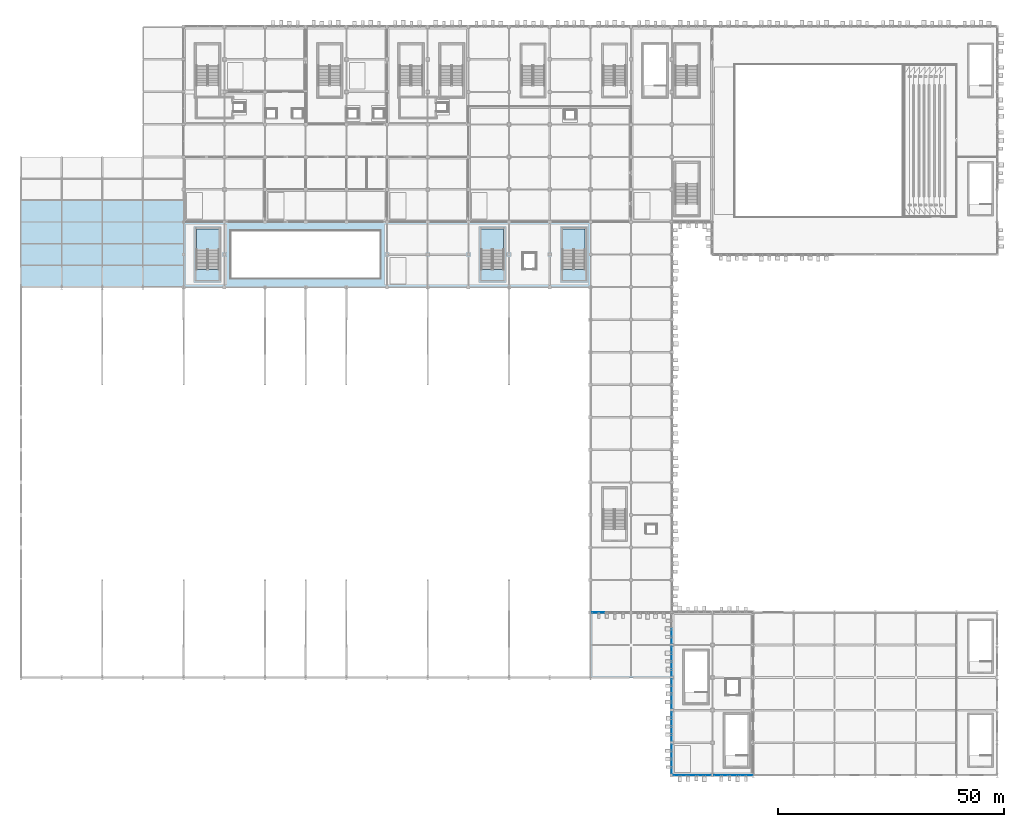
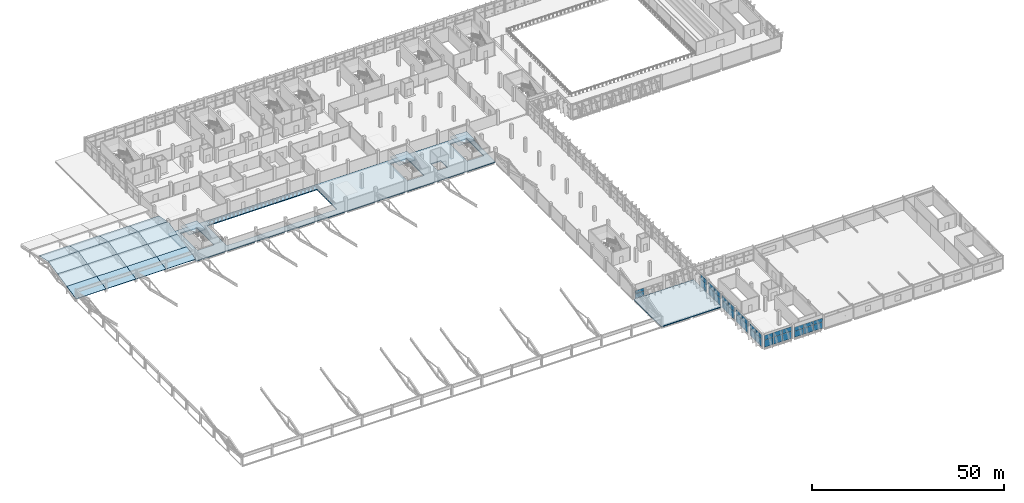
# One storey, part 88 of 151: 32 plates, 21 slabs, 11 elements without a shape of their own.
"""IFC4 building model written with IfcOpenShell, lengths in metres."""

from ifc_helpers import new_model, si_unit, direction, frame, origin, origin_2d, place, context, subcontext, project, spatial, polyline, rectangle, outline, extrude, material, layer, layer_set, type_object, element, aggregate, save


model = new_model("IFC4")

# Units and contexts
model_context = context("Model", 3, precision=1e-05, world=origin(), true_north=direction((0.0, 1.0)))
body_context = subcontext(model_context, "Body", "Model", "MODEL_VIEW")
ifc_project = project(units=[si_unit("LENGTHUNIT", "METRE"), si_unit("AREAUNIT", "SQUARE_METRE"), si_unit("VOLUMEUNIT", "CUBIC_METRE"), si_unit("PLANEANGLEUNIT", "RADIAN"), si_unit("MASSUNIT", "GRAM", prefix="KILO")], contexts=[model_context])

# Site, building, storey
site_placement = place(None, origin())
site = spatial("IfcSite", under=ifc_project, at=site_placement, CompositionType="ELEMENT")
building_placement = place(site_placement, origin())
building = spatial("IfcBuilding", under=site, at=building_placement, Name="Celestram Park Convention Centre", CompositionType="ELEMENT")
storey_placement = place(building_placement, frame((0.0, 0.0, 10.800048828125)))
storey = spatial("IfcBuildingStorey", under=building, at=storey_placement, Name="L02", CompositionType="ELEMENT", Elevation=10.800048828125)

# Curtain wall, plates
ifc_material_1 = material(Name="Anodised Aluminium Alloy 6063-T6", Category="aluminium")
ifc_layer_1 = layer(ifc_material_1, 0.179931640625)
ifc_layer_set_1 = layer_set([ifc_layer_1], Name="Anodised Aluminium Alloy 6063-T6")
curtain_wall_type_1 = type_object("IfcCurtainWallType", Name="ARC-CW-650X390", PredefinedType="NOTDEFINED", material=ifc_layer_set_1)
curtain_wall_1_placement = place(storey_placement, origin())
curtain_wall_1 = element("IfcCurtainWall", 1, at=curtain_wall_1_placement, inside=storey, type_object=curtain_wall_type_1, Name="Unitised curtain wall CU-L02-139", PredefinedType="NOTDEFINED")
ifc_material_2 = material(Name="Insulated Glazing Unit 28 mm", Category="glass")
ifc_layer_2 = layer(ifc_material_2, 0.028076171875)
ifc_layer_set_2 = layer_set([ifc_layer_2], Name="Insulated Glazing Unit 28 mm")
plate_type_1 = type_object("IfcPlateType", Name="ARC-CWP-IGU28", PredefinedType="CURTAIN_PANEL", material=ifc_layer_set_2)
plate_1_placement = place(storey_placement, frame((144.0, 1.990234375, 0.06005859375), z_axis=(0.0, 0.0, 1.0), x_axis=(0.0, 1.0, 0.0)))
plate_1 = element("IfcPlate", 2, at=plate_1_placement, type_object=plate_type_1, Name="CW-65X39 panel 1.1", PredefinedType="CURTAIN_PANEL", context=body_context, shape_type="SweptSolid", body=[
    extrude(rectangle(XDim=3.154541015625, YDim=0.028076171875, at=origin_2d()), origin(), (0.0, 0.0, 1.0), 2.251953125),
])
plate_2_placement = place(storey_placement, frame((144.0, 1.990234375, 2.3720703125), z_axis=(0.0, 0.0, 1.0), x_axis=(0.0, 1.0, 0.0)))
plate_2 = element("IfcPlate", 3, at=plate_2_placement, type_object=plate_type_1, Name="CW-65X39 panel 1.2", PredefinedType="CURTAIN_PANEL", context=body_context, shape_type="SweptSolid", body=[
    extrude(rectangle(XDim=3.154541015625, YDim=0.028076171875, at=origin_2d()), origin(), (0.0, 0.0, 1.0), 1.471923828125),
])
plate_3_placement = place(storey_placement, frame((144.0, 5.209716796875, 0.06005859375), z_axis=(0.0, 0.0, 1.0), x_axis=(0.0, 1.0, 0.0)))
plate_3 = element("IfcPlate", 4, at=plate_3_placement, type_object=plate_type_1, Name="CW-65X39 panel 2.1", PredefinedType="CURTAIN_PANEL", context=body_context, shape_type="SweptSolid", body=[
    extrude(rectangle(XDim=3.154541015625, YDim=0.028076171875, at=origin_2d()), origin(), (0.0, 0.0, 1.0), 2.251953125),
])
plate_4_placement = place(storey_placement, frame((144.0, 5.209716796875, 2.3720703125), z_axis=(0.0, 0.0, 1.0), x_axis=(0.0, 1.0, 0.0)))
plate_4 = element("IfcPlate", 5, at=plate_4_placement, type_object=plate_type_1, Name="CW-65X39 panel 2.2", PredefinedType="CURTAIN_PANEL", context=body_context, shape_type="SweptSolid", body=[
    extrude(rectangle(XDim=3.154541015625, YDim=0.028076171875, at=origin_2d()), origin(), (0.0, 0.0, 1.0), 1.471923828125),
])
aggregate(curtain_wall_1, [plate_1, plate_2, plate_3, plate_4])

ifc_layer_3 = layer(ifc_material_1, 0.179931640625)
ifc_layer_set_3 = layer_set([ifc_layer_3], Name="Anodised Aluminium Alloy 6063-T6")
curtain_wall_type_2 = type_object("IfcCurtainWallType", Name="ARC-CW-650X401", PredefinedType="NOTDEFINED", material=ifc_layer_set_3)
curtain_wall_2_placement = place(storey_placement, origin())
curtain_wall_2 = element("IfcCurtainWall", 6, at=curtain_wall_2_placement, inside=storey, type_object=curtain_wall_type_2, Name="Unitised curtain wall CU-L02-140", PredefinedType="NOTDEFINED")
plate_5_placement = place(storey_placement, frame((144.0, 9.190185546875, 0.06005859375), z_axis=(0.0, 0.0, 1.0), x_axis=(0.0, 1.0, 0.0)))
plate_5 = element("IfcPlate", 7, at=plate_5_placement, type_object=plate_type_1, Name="CW-65X40 panel 1.1", PredefinedType="CURTAIN_PANEL", context=body_context, shape_type="SweptSolid", body=[
    extrude(rectangle(XDim=3.154541015625, YDim=0.028076171875, at=origin_2d()), origin(), (0.0, 0.0, 1.0), 2.31591796875),
])
plate_6_placement = place(storey_placement, frame((144.0, 9.190185546875, 2.43603515625), z_axis=(0.0, 0.0, 1.0), x_axis=(0.0, 1.0, 0.0)))
plate_6 = element("IfcPlate", 8, at=plate_6_placement, type_object=plate_type_1, Name="CW-65X40 panel 1.2", PredefinedType="CURTAIN_PANEL", context=body_context, shape_type="SweptSolid", body=[
    extrude(rectangle(XDim=3.154541015625, YDim=0.028076171875, at=origin_2d()), origin(), (0.0, 0.0, 1.0), 1.513916015625),
])
plate_7_placement = place(storey_placement, frame((144.0, 12.40966796875, 0.06005859375), z_axis=(0.0, 0.0, 1.0), x_axis=(0.0, 1.0, 0.0)))
plate_7 = element("IfcPlate", 9, at=plate_7_placement, type_object=plate_type_1, Name="CW-65X40 panel 2.1", PredefinedType="CURTAIN_PANEL", context=body_context, shape_type="SweptSolid", body=[
    extrude(rectangle(XDim=3.154541015625, YDim=0.028076171875, at=origin_2d()), origin(), (0.0, 0.0, 1.0), 2.31591796875),
])
plate_8_placement = place(storey_placement, frame((144.0, 12.40966796875, 2.43603515625), z_axis=(0.0, 0.0, 1.0), x_axis=(0.0, 1.0, 0.0)))
plate_8 = element("IfcPlate", 10, at=plate_8_placement, type_object=plate_type_1, Name="CW-65X40 panel 2.2", PredefinedType="CURTAIN_PANEL", context=body_context, shape_type="SweptSolid", body=[
    extrude(rectangle(XDim=3.154541015625, YDim=0.028076171875, at=origin_2d()), origin(), (0.0, 0.0, 1.0), 1.513916015625),
])
aggregate(curtain_wall_2, [plate_5, plate_6, plate_7, plate_8])

curtain_wall_3_placement = place(storey_placement, origin())
curtain_wall_3 = element("IfcCurtainWall", 11, at=curtain_wall_3_placement, inside=storey, type_object=curtain_wall_type_2, Name="Unitised curtain wall CU-L02-141", PredefinedType="NOTDEFINED")
plate_9_placement = place(storey_placement, frame((144.0, 16.39013671875, 0.06005859375), z_axis=(0.0, 0.0, 1.0), x_axis=(0.0, 1.0, 0.0)))
plate_9 = element("IfcPlate", 12, at=plate_9_placement, type_object=plate_type_1, Name="CW-65X40 panel 1.1", PredefinedType="CURTAIN_PANEL", context=body_context, shape_type="SweptSolid", body=[
    extrude(rectangle(XDim=3.154541015625, YDim=0.028076171875, at=origin_2d()), origin(), (0.0, 0.0, 1.0), 2.31591796875),
])
plate_10_placement = place(storey_placement, frame((144.0, 16.39013671875, 2.43603515625), z_axis=(0.0, 0.0, 1.0), x_axis=(0.0, 1.0, 0.0)))
plate_10 = element("IfcPlate", 13, at=plate_10_placement, type_object=plate_type_1, Name="CW-65X40 panel 1.2", PredefinedType="CURTAIN_PANEL", context=body_context, shape_type="SweptSolid", body=[
    extrude(rectangle(XDim=3.154541015625, YDim=0.028076171875, at=origin_2d()), origin(), (0.0, 0.0, 1.0), 1.513916015625),
])
plate_11_placement = place(storey_placement, frame((144.0, 19.60986328125, 0.06005859375), z_axis=(0.0, 0.0, 1.0), x_axis=(0.0, 1.0, 0.0)))
plate_11 = element("IfcPlate", 14, at=plate_11_placement, type_object=plate_type_1, Name="CW-65X40 panel 2.1", PredefinedType="CURTAIN_PANEL", context=body_context, shape_type="SweptSolid", body=[
    extrude(rectangle(XDim=3.154541015625, YDim=0.028076171875, at=origin_2d()), origin(), (0.0, 0.0, 1.0), 2.31591796875),
])
plate_12_placement = place(storey_placement, frame((144.0, 19.60986328125, 2.43603515625), z_axis=(0.0, 0.0, 1.0), x_axis=(0.0, 1.0, 0.0)))
plate_12 = element("IfcPlate", 15, at=plate_12_placement, type_object=plate_type_1, Name="CW-65X40 panel 2.2", PredefinedType="CURTAIN_PANEL", context=body_context, shape_type="SweptSolid", body=[
    extrude(rectangle(XDim=3.154541015625, YDim=0.028076171875, at=origin_2d()), origin(), (0.0, 0.0, 1.0), 1.513916015625),
])
aggregate(curtain_wall_3, [plate_9, plate_10, plate_11, plate_12])

curtain_wall_4_placement = place(storey_placement, origin())
curtain_wall_4 = element("IfcCurtainWall", 16, at=curtain_wall_4_placement, inside=storey, type_object=curtain_wall_type_2, Name="Unitised curtain wall CU-L02-142", PredefinedType="NOTDEFINED")
plate_13_placement = place(storey_placement, frame((144.0, 23.59033203125, 0.06005859375), z_axis=(0.0, 0.0, 1.0), x_axis=(0.0, 1.0, 0.0)))
plate_13 = element("IfcPlate", 17, at=plate_13_placement, type_object=plate_type_1, Name="CW-65X40 panel 1.1", PredefinedType="CURTAIN_PANEL", context=body_context, shape_type="SweptSolid", body=[
    extrude(rectangle(XDim=3.154541015625, YDim=0.028076171875, at=origin_2d()), origin(), (0.0, 0.0, 1.0), 2.31591796875),
])
plate_14_placement = place(storey_placement, frame((144.0, 23.59033203125, 2.43603515625), z_axis=(0.0, 0.0, 1.0), x_axis=(0.0, 1.0, 0.0)))
plate_14 = element("IfcPlate", 18, at=plate_14_placement, type_object=plate_type_1, Name="CW-65X40 panel 1.2", PredefinedType="CURTAIN_PANEL", context=body_context, shape_type="SweptSolid", body=[
    extrude(rectangle(XDim=3.154541015625, YDim=0.028076171875, at=origin_2d()), origin(), (0.0, 0.0, 1.0), 1.513916015625),
])
plate_15_placement = place(storey_placement, frame((144.0, 26.809814453125, 0.06005859375), z_axis=(0.0, 0.0, 1.0), x_axis=(0.0, 1.0, 0.0)))
plate_15 = element("IfcPlate", 19, at=plate_15_placement, type_object=plate_type_1, Name="CW-65X40 panel 2.1", PredefinedType="CURTAIN_PANEL", context=body_context, shape_type="SweptSolid", body=[
    extrude(rectangle(XDim=3.154541015625, YDim=0.028076171875, at=origin_2d()), origin(), (0.0, 0.0, 1.0), 2.31591796875),
])
plate_16_placement = place(storey_placement, frame((144.0, 26.809814453125, 2.43603515625), z_axis=(0.0, 0.0, 1.0), x_axis=(0.0, 1.0, 0.0)))
plate_16 = element("IfcPlate", 20, at=plate_16_placement, type_object=plate_type_1, Name="CW-65X40 panel 2.2", PredefinedType="CURTAIN_PANEL", context=body_context, shape_type="SweptSolid", body=[
    extrude(rectangle(XDim=3.154541015625, YDim=0.028076171875, at=origin_2d()), origin(), (0.0, 0.0, 1.0), 1.513916015625),
])
aggregate(curtain_wall_4, [plate_13, plate_14, plate_15, plate_16])

curtain_wall_5_placement = place(storey_placement, origin())
curtain_wall_5 = element("IfcCurtainWall", 21, at=curtain_wall_5_placement, inside=storey, type_object=curtain_wall_type_1, Name="Unitised curtain wall CU-L02-143", PredefinedType="NOTDEFINED")
plate_17_placement = place(storey_placement, frame((144.0, 30.790283203125, 0.06005859375), z_axis=(0.0, 0.0, 1.0), x_axis=(0.0, 1.0, 0.0)))
plate_17 = element("IfcPlate", 22, at=plate_17_placement, type_object=plate_type_1, Name="CW-65X39 panel 1.1", PredefinedType="CURTAIN_PANEL", context=body_context, shape_type="SweptSolid", body=[
    extrude(rectangle(XDim=3.154541015625, YDim=0.028076171875, at=origin_2d()), origin(), (0.0, 0.0, 1.0), 2.251953125),
])
plate_18_placement = place(storey_placement, frame((144.0, 30.790283203125, 2.3720703125), z_axis=(0.0, 0.0, 1.0), x_axis=(0.0, 1.0, 0.0)))
plate_18 = element("IfcPlate", 23, at=plate_18_placement, type_object=plate_type_1, Name="CW-65X39 panel 1.2", PredefinedType="CURTAIN_PANEL", context=body_context, shape_type="SweptSolid", body=[
    extrude(rectangle(XDim=3.154541015625, YDim=0.028076171875, at=origin_2d()), origin(), (0.0, 0.0, 1.0), 1.471923828125),
])
aggregate(curtain_wall_5, [plate_17, plate_18])

ifc_layer_4 = layer(ifc_material_1, 0.179931640625)
ifc_layer_set_4 = layer_set([ifc_layer_4], Name="Anodised Aluminium Alloy 6063-T6")
curtain_wall_type_3 = type_object("IfcCurtainWallType", Name="ARC-CW-864X334", PredefinedType="NOTDEFINED", material=ifc_layer_set_4)
curtain_wall_6_placement = place(storey_placement, origin())
curtain_wall_6 = element("IfcCurtainWall", 24, at=curtain_wall_6_placement, inside=storey, type_object=curtain_wall_type_3, Name="Unitised curtain wall CU-L02-137", PredefinedType="NOTDEFINED")
ifc_material_3 = material(Name="Insulated Glazing Unit 38 mm", Category="glass")
ifc_layer_5 = layer(ifc_material_3, 0.0380859375)
ifc_layer_set_5 = layer_set([ifc_layer_5], Name="Insulated Glazing Unit 38 mm")
plate_type_2 = type_object("IfcPlateType", Name="ARC-CWP-IGU38", PredefinedType="CURTAIN_PANEL", material=ifc_layer_set_5)
plate_19_placement = place(storey_placement, frame((160.533447265625, 0.0, 0.06494140625), z_axis=(0.0, 0.0, 1.0), x_axis=(-1.0, 0.0, 0.0)))
plate_19 = element("IfcPlate", 25, at=plate_19_placement, type_object=plate_type_2, Name="CW-86X33 panel 1.1", PredefinedType="CURTAIN_PANEL", context=body_context, shape_type="SweptSolid", body=[
    extrude(rectangle(XDim=2.76904296875, YDim=0.0380859375, at=origin_2d()), origin(), (0.0, 0.0, 1.0), 1.904541015625),
])
plate_20_placement = place(storey_placement, frame((160.533447265625, 0.0, 2.0341796875), z_axis=(0.0, 0.0, 1.0), x_axis=(-1.0, 0.0, 0.0)))
plate_20 = element("IfcPlate", 26, at=plate_20_placement, type_object=plate_type_2, Name="CW-86X33 panel 1.2", PredefinedType="CURTAIN_PANEL", context=body_context, shape_type="SweptSolid", body=[
    extrude(rectangle(XDim=2.76904296875, YDim=0.0380859375, at=origin_2d()), origin(), (0.0, 0.0, 1.0), 1.236572265625),
])
plate_21_placement = place(storey_placement, frame((157.67041015625, 0.0, 0.06494140625), z_axis=(0.0, 0.0, 1.0), x_axis=(-1.0, 0.0, 0.0)))
plate_21 = element("IfcPlate", 27, at=plate_21_placement, type_object=plate_type_2, Name="CW-86X33 panel 2.1", PredefinedType="CURTAIN_PANEL", context=body_context, shape_type="SweptSolid", body=[
    extrude(rectangle(XDim=2.806640625, YDim=0.0380859375, at=origin_2d()), origin(), (0.0, 0.0, 1.0), 1.904541015625),
])
plate_22_placement = place(storey_placement, frame((157.67041015625, 0.0, 2.0341796875), z_axis=(0.0, 0.0, 1.0), x_axis=(-1.0, 0.0, 0.0)))
plate_22 = element("IfcPlate", 28, at=plate_22_placement, type_object=plate_type_2, Name="CW-86X33 panel 2.2", PredefinedType="CURTAIN_PANEL", context=body_context, shape_type="SweptSolid", body=[
    extrude(rectangle(XDim=2.806640625, YDim=0.0380859375, at=origin_2d()), origin(), (0.0, 0.0, 1.0), 1.236572265625),
])
plate_23_placement = place(storey_placement, frame((154.8076171875, 0.0, 0.06494140625), z_axis=(0.0, 0.0, 1.0), x_axis=(-1.0, 0.0, 0.0)))
plate_23 = element("IfcPlate", 29, at=plate_23_placement, type_object=plate_type_2, Name="CW-86X33 panel 3.1", PredefinedType="CURTAIN_PANEL", context=body_context, shape_type="SweptSolid", body=[
    extrude(rectangle(XDim=2.76904296875, YDim=0.0380859375, at=origin_2d()), origin(), (0.0, 0.0, 1.0), 1.904541015625),
])
plate_24_placement = place(storey_placement, frame((154.8076171875, 0.0, 2.0341796875), z_axis=(0.0, 0.0, 1.0), x_axis=(-1.0, 0.0, 0.0)))
plate_24 = element("IfcPlate", 30, at=plate_24_placement, type_object=plate_type_2, Name="CW-86X33 panel 3.2", PredefinedType="CURTAIN_PANEL", context=body_context, shape_type="SweptSolid", body=[
    extrude(rectangle(XDim=2.76904296875, YDim=0.0380859375, at=origin_2d()), origin(), (0.0, 0.0, 1.0), 1.236572265625),
])
aggregate(curtain_wall_6, [plate_19, plate_20, plate_21, plate_22, plate_23, plate_24])

ifc_layer_6 = layer(ifc_material_1, 0.179931640625)
ifc_layer_set_6 = layer_set([ifc_layer_6], Name="Anodised Aluminium Alloy 6063-T6")
curtain_wall_type_4 = type_object("IfcCurtainWallType", Name="ARC-CW-830X390", PredefinedType="NOTDEFINED", material=ifc_layer_set_6)
curtain_wall_7_placement = place(storey_placement, origin())
curtain_wall_7 = element("IfcCurtainWall", 31, at=curtain_wall_7_placement, inside=storey, type_object=curtain_wall_type_4, Name="Unitised curtain wall CU-L02-138", PredefinedType="NOTDEFINED")
plate_25_placement = place(storey_placement, frame((151.249267578125, 0.0, 0.06494140625), z_axis=(0.0, 0.0, 1.0), x_axis=(-1.0, 0.0, 0.0)))
plate_25 = element("IfcPlate", 32, at=plate_25_placement, type_object=plate_type_2, Name="CW-83X39 panel 1.1", PredefinedType="CURTAIN_PANEL", context=body_context, shape_type="SweptSolid", body=[
    extrude(rectangle(XDim=2.655517578125, YDim=0.0380859375, at=origin_2d()), origin(), (0.0, 0.0, 1.0), 2.244384765625),
])
plate_26_placement = place(storey_placement, frame((151.249267578125, 0.0, 2.37451171875), z_axis=(0.0, 0.0, 1.0), x_axis=(-1.0, 0.0, 0.0)))
plate_26 = element("IfcPlate", 33, at=plate_26_placement, type_object=plate_type_2, Name="CW-83X39 panel 1.2", PredefinedType="CURTAIN_PANEL", context=body_context, shape_type="SweptSolid", body=[
    extrude(rectangle(XDim=2.655517578125, YDim=0.0380859375, at=origin_2d()), origin(), (0.0, 0.0, 1.0), 1.464599609375),
])
plate_27_placement = place(storey_placement, frame((148.5, 0.0, 0.06494140625), z_axis=(0.0, 0.0, 1.0), x_axis=(-1.0, 0.0, 0.0)))
plate_27 = element("IfcPlate", 34, at=plate_27_placement, type_object=plate_type_2, Name="CW-83X39 panel 2.1", PredefinedType="CURTAIN_PANEL", context=body_context, shape_type="SweptSolid", body=[
    extrude(rectangle(XDim=2.693115234375, YDim=0.0380859375, at=origin_2d()), origin(), (0.0, 0.0, 1.0), 2.244384765625),
])
plate_28_placement = place(storey_placement, frame((148.5, 0.0, 2.37451171875), z_axis=(0.0, 0.0, 1.0), x_axis=(-1.0, 0.0, 0.0)))
plate_28 = element("IfcPlate", 35, at=plate_28_placement, type_object=plate_type_2, Name="CW-83X39 panel 2.2", PredefinedType="CURTAIN_PANEL", context=body_context, shape_type="SweptSolid", body=[
    extrude(rectangle(XDim=2.693115234375, YDim=0.0380859375, at=origin_2d()), origin(), (0.0, 0.0, 1.0), 1.464599609375),
])
plate_29_placement = place(storey_placement, frame((145.750732421875, 0.0, 0.06494140625), z_axis=(0.0, 0.0, 1.0), x_axis=(-1.0, 0.0, 0.0)))
plate_29 = element("IfcPlate", 36, at=plate_29_placement, type_object=plate_type_2, Name="CW-83X39 panel 3.1", PredefinedType="CURTAIN_PANEL", context=body_context, shape_type="SweptSolid", body=[
    extrude(rectangle(XDim=2.655517578125, YDim=0.0380859375, at=origin_2d()), origin(), (0.0, 0.0, 1.0), 2.244384765625),
])
plate_30_placement = place(storey_placement, frame((145.750732421875, 0.0, 2.37451171875), z_axis=(0.0, 0.0, 1.0), x_axis=(-1.0, 0.0, 0.0)))
plate_30 = element("IfcPlate", 37, at=plate_30_placement, type_object=plate_type_2, Name="CW-83X39 panel 3.2", PredefinedType="CURTAIN_PANEL", context=body_context, shape_type="SweptSolid", body=[
    extrude(rectangle(XDim=2.655517578125, YDim=0.0380859375, at=origin_2d()), origin(), (0.0, 0.0, 1.0), 1.464599609375),
])
aggregate(curtain_wall_7, [plate_25, plate_26, plate_27, plate_28, plate_29, plate_30])

ifc_layer_7 = layer(ifc_material_1, 0.179931640625)
ifc_layer_set_7 = layer_set([ifc_layer_7], Name="Anodised Aluminium Alloy 6063-T6")
curtain_wall_type_5 = type_object("IfcCurtainWallType", Name="ARC-CW-828X259", PredefinedType="NOTDEFINED", material=ifc_layer_set_7)
curtain_wall_8_placement = place(storey_placement, origin())
curtain_wall_8 = element("IfcCurtainWall", 38, at=curtain_wall_8_placement, inside=storey, type_object=curtain_wall_type_5, Name="Unitised curtain wall CU-L02-194", PredefinedType="NOTDEFINED")
plate_31_placement = place(storey_placement, frame((127.771484375, 36.0, 0.06494140625), z_axis=(0.0, 0.0, 1.0), x_axis=(-1.0, 0.0, 0.0)))
plate_31 = element("IfcPlate", 39, at=plate_31_placement, type_object=plate_type_2, Name="CW-82X25 panel 3.1", PredefinedType="CURTAIN_PANEL", context=body_context, shape_type="SweptSolid", body=[
    extrude(rectangle(XDim=2.647216796875, YDim=0.0380859375, at=origin_2d()), origin(), (0.0, 0.0, 1.0), 1.45556640625),
])
plate_32_placement = place(storey_placement, frame((127.771484375, 36.0, 1.58544921875), z_axis=(0.0, 0.0, 1.0), x_axis=(-1.0, 0.0, 0.0)))
plate_32 = element("IfcPlate", 40, at=plate_32_placement, type_object=plate_type_2, Name="CW-82X25 panel 3.2", PredefinedType="CURTAIN_PANEL", context=body_context, shape_type="SweptSolid", body=[
    extrude(rectangle(XDim=2.647216796875, YDim=0.0380859375, at=origin_2d()), origin(), (0.0, 0.0, 1.0), 0.9384765625),
])
aggregate(curtain_wall_8, [plate_31, plate_32])

# Slabs
ifc_material_4 = material(Name="Concrete C35/45", Category="concrete")
ifc_layer_8 = layer(ifc_material_4, 0.159912109375)
ifc_layer_set_8 = layer_set([ifc_layer_8], Name="Concrete C35/45")
slab_type_1 = type_object("IfcSlabType", Name="STR-SLB-ARCH160", PredefinedType="ROOF", material=ifc_layer_set_8)
for number, where, z_axis, x_axis, name in (
    (41, (0.0, 108.0, 0.550048828125), (0.0, -0.216925200651, 0.976188228429), (1.0, 0.0, 0.0), "WPV arched roof deck facet 1.1"),
    (42, (0.0, 112.800048828125, 1.61669921875), (0.0, -0.216925200651, 0.976188228429), (1.0, 0.0, 0.0), "WPV arched roof deck facet 1.2"),
):
    element("IfcSlab", number, at=place(storey_placement, frame(where, z_axis=z_axis, x_axis=x_axis)), inside=storey, type_object=slab_type_1, Name=name, PredefinedType="ROOF", context=body_context, shape_type="SweptSolid", body=[
        extrude(outline(polyline([(0.0, 0.0), (9.0, 0.0), (9.0, 4.917134511908806), (0.0, 4.917134511908806), (0.0, 0.0)])), origin(), (0.0, 0.0, -1.0), 0.159912109375),
    ])
for number, where, z_axis, x_axis, name in (
    (43, (0.0, 117.60009765625, 2.683349609375), (0.0, -0.216909406551, 0.976191738005), (1.0, 0.0, 0.0), "WPV arched roof deck facet 1.3"),
    (44, (0.0, 122.405029296875, 3.748779296875), (0.0, 0.216909406551, 0.976191738005), (1.0, 0.0, 0.0), "WPV arched roof deck facet 1.4"),
):
    element("IfcSlab", number, at=place(storey_placement, frame(where, z_axis=z_axis, x_axis=x_axis)), inside=storey, type_object=slab_type_1, Name=name, PredefinedType="ROOF", context=body_context, shape_type="SweptSolid", body=[
        extrude(outline(polyline([(0.0, 0.0), (9.0, 0.0), (9.0, 4.911864839993042), (0.0, 4.911864839993042), (0.0, 0.0)])), origin(), (0.0, 0.0, -1.0), 0.159912109375),
    ])
for number, where, z_axis, x_axis, name in (
    (45, (9.0, 108.0, 0.550048828125), (0.0, -0.216925200651, 0.976188228429), (1.0, 0.0, 0.0), "WPV arched roof deck facet 2.1"),
    (46, (9.0, 112.800048828125, 1.61669921875), (0.0, -0.216925200651, 0.976188228429), (1.0, 0.0, 0.0), "WPV arched roof deck facet 2.2"),
):
    element("IfcSlab", number, at=place(storey_placement, frame(where, z_axis=z_axis, x_axis=x_axis)), inside=storey, type_object=slab_type_1, Name=name, PredefinedType="ROOF", context=body_context, shape_type="SweptSolid", body=[
        extrude(outline(polyline([(0.0, 0.0), (9.0, 0.0), (9.0, 4.917134511908806), (0.0, 4.917134511908806), (0.0, 0.0)])), origin(), (0.0, 0.0, -1.0), 0.159912109375),
    ])
for number, where, z_axis, x_axis, name in (
    (47, (9.0, 117.60009765625, 2.683349609375), (0.0, -0.216909406551, 0.976191738005), (1.0, 0.0, 0.0), "WPV arched roof deck facet 2.3"),
    (48, (9.0, 122.405029296875, 3.748779296875), (0.0, 0.216909406551, 0.976191738005), (1.0, 0.0, 0.0), "WPV arched roof deck facet 2.4"),
):
    element("IfcSlab", number, at=place(storey_placement, frame(where, z_axis=z_axis, x_axis=x_axis)), inside=storey, type_object=slab_type_1, Name=name, PredefinedType="ROOF", context=body_context, shape_type="SweptSolid", body=[
        extrude(outline(polyline([(0.0, 0.0), (9.0, 0.0), (9.0, 4.911864839993042), (0.0, 4.911864839993042), (0.0, 0.0)])), origin(), (0.0, 0.0, -1.0), 0.159912109375),
    ])
for number, where, z_axis, x_axis, name in (
    (49, (18.0, 108.0, 0.550048828125), (0.0, -0.216925200651, 0.976188228429), (1.0, 0.0, 0.0), "WPV arched roof deck facet 3.1"),
    (50, (18.0, 112.800048828125, 1.61669921875), (0.0, -0.216925200651, 0.976188228429), (1.0, 0.0, 0.0), "WPV arched roof deck facet 3.2"),
):
    element("IfcSlab", number, at=place(storey_placement, frame(where, z_axis=z_axis, x_axis=x_axis)), inside=storey, type_object=slab_type_1, Name=name, PredefinedType="ROOF", context=body_context, shape_type="SweptSolid", body=[
        extrude(outline(polyline([(0.0, 0.0), (9.0, 0.0), (9.0, 4.917134511908806), (0.0, 4.917134511908806), (0.0, 0.0)])), origin(), (0.0, 0.0, -1.0), 0.159912109375),
    ])
for number, where, z_axis, x_axis, name in (
    (51, (18.0, 117.60009765625, 2.683349609375), (0.0, -0.216909406551, 0.976191738005), (1.0, 0.0, 0.0), "WPV arched roof deck facet 3.3"),
    (52, (18.0, 122.405029296875, 3.748779296875), (0.0, 0.216909406551, 0.976191738005), (1.0, 0.0, 0.0), "WPV arched roof deck facet 3.4"),
):
    element("IfcSlab", number, at=place(storey_placement, frame(where, z_axis=z_axis, x_axis=x_axis)), inside=storey, type_object=slab_type_1, Name=name, PredefinedType="ROOF", context=body_context, shape_type="SweptSolid", body=[
        extrude(outline(polyline([(0.0, 0.0), (9.0, 0.0), (9.0, 4.911864839993042), (0.0, 4.911864839993042), (0.0, 0.0)])), origin(), (0.0, 0.0, -1.0), 0.159912109375),
    ])
for number, where, z_axis, x_axis, name in (
    (53, (27.0, 108.0, 0.550048828125), (0.0, -0.216925200651, 0.976188228429), (1.0, 0.0, 0.0), "WPV arched roof deck facet 4.1"),
    (54, (27.0, 112.800048828125, 1.61669921875), (0.0, -0.216925200651, 0.976188228429), (1.0, 0.0, 0.0), "WPV arched roof deck facet 4.2"),
):
    element("IfcSlab", number, at=place(storey_placement, frame(where, z_axis=z_axis, x_axis=x_axis)), inside=storey, type_object=slab_type_1, Name=name, PredefinedType="ROOF", context=body_context, shape_type="SweptSolid", body=[
        extrude(outline(polyline([(0.0, 0.0), (9.0, 0.0), (9.0, 4.917134511908806), (0.0, 4.917134511908806), (0.0, 0.0)])), origin(), (0.0, 0.0, -1.0), 0.159912109375),
    ])
for number, where, z_axis, x_axis, name in (
    (55, (27.0, 117.60009765625, 2.683349609375), (0.0, -0.216909406551, 0.976191738005), (1.0, 0.0, 0.0), "WPV arched roof deck facet 4.3"),
    (56, (27.0, 122.405029296875, 3.748779296875), (0.0, 0.216909406551, 0.976191738005), (1.0, 0.0, 0.0), "WPV arched roof deck facet 4.4"),
):
    element("IfcSlab", number, at=place(storey_placement, frame(where, z_axis=z_axis, x_axis=x_axis)), inside=storey, type_object=slab_type_1, Name=name, PredefinedType="ROOF", context=body_context, shape_type="SweptSolid", body=[
        extrude(outline(polyline([(0.0, 0.0), (9.0, 0.0), (9.0, 4.911864839993042), (0.0, 4.911864839993042), (0.0, 0.0)])), origin(), (0.0, 0.0, -1.0), 0.159912109375),
    ])
ifc_layer_9 = layer(ifc_material_4, 0.280029296875)
ifc_layer_set_9 = layer_set([ifc_layer_9], Name="Concrete C35/45")
slab_type_2 = type_object("IfcSlabType", Name="STR-SLB-FLR280", PredefinedType="FLOOR", material=ifc_layer_set_9)
slab_1_placement = place(storey_placement, frame((0.0, 0.0, -0.280029296875)))
element("IfcSlab", 57, at=slab_1_placement, inside=storey, type_object=slab_type_2, Name="Floor slab L02-CNC", PredefinedType="FLOOR", context=body_context, shape_type="SweptSolid", body=[
    extrude(outline(polyline([(36.0, 108.0), (36.0, 122.39990234375), (126.0, 122.39990234375), (126.0, 108.0), (36.0, 108.0)]), holes=[polyline([(113.949951171875, 112.050048828125), (113.949951171875, 115.550048828125), (111.050048828125, 115.550048828125), (111.050048828125, 112.050048828125), (113.949951171875, 112.050048828125)]), polyline([(79.5, 110.0), (79.5, 120.39990234375), (46.5, 120.39990234375), (46.5, 110.0), (79.5, 110.0)]), polyline([(43.800048828125, 111.906005859375), (43.800048828125, 120.89990234375), (38.840087890625, 120.89990234375), (38.840087890625, 111.906005859375), (43.800048828125, 111.906005859375)]), polyline([(106.800048828125, 111.906005859375), (106.800048828125, 120.89990234375), (101.840087890625, 120.89990234375), (101.840087890625, 111.906005859375), (106.800048828125, 111.906005859375)]), polyline([(124.800048828125, 111.906005859375), (124.800048828125, 120.89990234375), (119.840087890625, 120.89990234375), (119.840087890625, 111.906005859375), (124.800048828125, 111.906005859375)])]), origin(), (0.0, 0.0, 1.0), 0.280029296875),
])

# Stair, slab
ifc_material_5 = material(Name="Precast Concrete C40/50", Category="concrete")
stair_type = type_object("IfcStairType", Name="ARC-STR-DOG45", PredefinedType="HALF_TURN_STAIR", material=ifc_material_5)
stair_1_placement = place(storey_placement, origin())
stair_1 = element("IfcStair", 58, at=stair_1_placement, inside=storey, type_object=stair_type, Name="L02 Core C3 stair ST-03", PredefinedType="HALF_TURN_STAIR")
ifc_layer_10 = layer(ifc_material_4, 0.199951171875)
ifc_layer_set_10 = layer_set([ifc_layer_10], Name="Concrete C35/45")
slab_type_3 = type_object("IfcSlabType", Name="STR-SLB-LND200", PredefinedType="LANDING", material=ifc_layer_set_10)
slab_2_placement = place(storey_placement, frame((0.0, 0.0, 2.050048828125)))
slab_2 = element("IfcSlab", 59, at=slab_2_placement, type_object=slab_type_3, Name="ST-03 landing 1", PredefinedType="LANDING", context=body_context, shape_type="SweptSolid", body=[
    extrude(outline(polyline([(106.800048828125, 116.3740234375), (106.800048828125, 120.89990234375), (101.840087890625, 120.89990234375), (101.840087890625, 116.3740234375), (106.800048828125, 116.3740234375)])), origin(), (0.0, 0.0, 1.0), 0.199951171875),
])
aggregate(stair_1, [slab_2])

stair_2_placement = place(storey_placement, origin())
stair_2 = element("IfcStair", 60, at=stair_2_placement, inside=storey, type_object=stair_type, Name="L02 Core S13 stair ST-13", PredefinedType="HALF_TURN_STAIR")
slab_3_placement = place(storey_placement, frame((0.0, 0.0, 2.050048828125)))
slab_3 = element("IfcSlab", 61, at=slab_3_placement, type_object=slab_type_3, Name="ST-13 landing 1", PredefinedType="LANDING", context=body_context, shape_type="SweptSolid", body=[
    extrude(outline(polyline([(43.800048828125, 116.3740234375), (43.800048828125, 120.89990234375), (38.840087890625, 120.89990234375), (38.840087890625, 116.3740234375), (43.800048828125, 116.3740234375)])), origin(), (0.0, 0.0, 1.0), 0.199951171875),
])
aggregate(stair_2, [slab_3])

stair_3_placement = place(storey_placement, origin())
stair_3 = element("IfcStair", 62, at=stair_3_placement, inside=storey, type_object=stair_type, Name="L02 Core S20 stair ST-20", PredefinedType="HALF_TURN_STAIR")
slab_4_placement = place(storey_placement, frame((0.0, 0.0, 2.050048828125)))
slab_4 = element("IfcSlab", 63, at=slab_4_placement, type_object=slab_type_3, Name="ST-20 landing 1", PredefinedType="LANDING", context=body_context, shape_type="SweptSolid", body=[
    extrude(outline(polyline([(124.800048828125, 116.3740234375), (124.800048828125, 120.89990234375), (119.840087890625, 120.89990234375), (119.840087890625, 116.3740234375), (124.800048828125, 116.3740234375)])), origin(), (0.0, 0.0, 1.0), 0.199951171875),
])
aggregate(stair_3, [slab_4])

# Slab
ifc_layer_11 = layer(ifc_material_4, 0.239990234375)
ifc_layer_set_11 = layer_set([ifc_layer_11], Name="Concrete C35/45")
slab_type_4 = type_object("IfcSlabType", Name="STR-SLB-ROOF240", PredefinedType="ROOF", material=ifc_layer_set_11)
slab_5_placement = place(storey_placement, frame((0.0, 0.0, -0.239990234375)))
element("IfcSlab", 64, at=slab_5_placement, inside=storey, type_object=slab_type_4, Name="Insulated flat roof deck SL-L02-RF039", PredefinedType="ROOF", context=body_context, shape_type="SweptSolid", body=[
    extrude(outline(polyline([(126.0, 36.0), (144.0, 36.0), (144.0, 21.60009765625), (126.0, 21.60009765625), (126.0, 36.0)])), origin(), (0.0, 0.0, 1.0), 0.239990234375),
])

save(model, "model.ifc")
